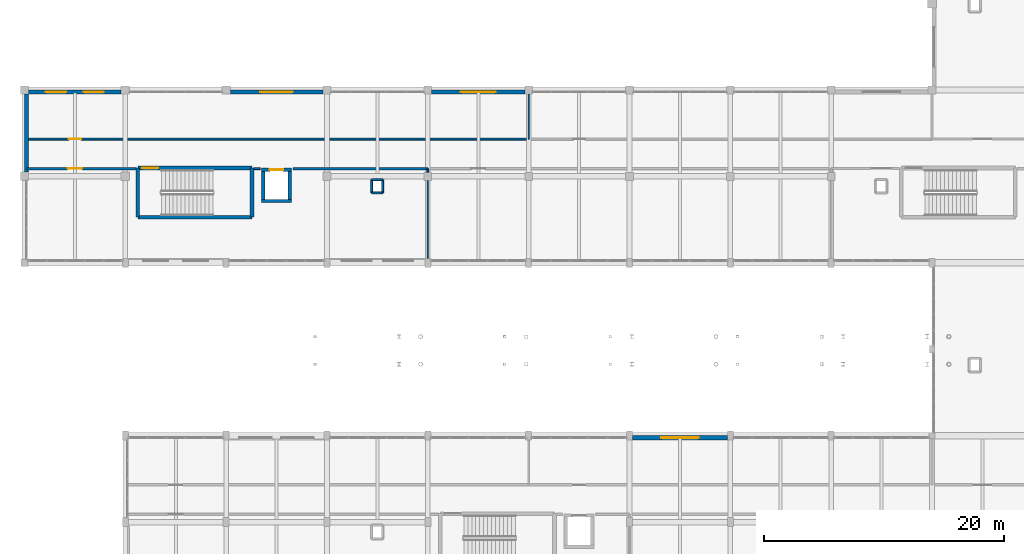
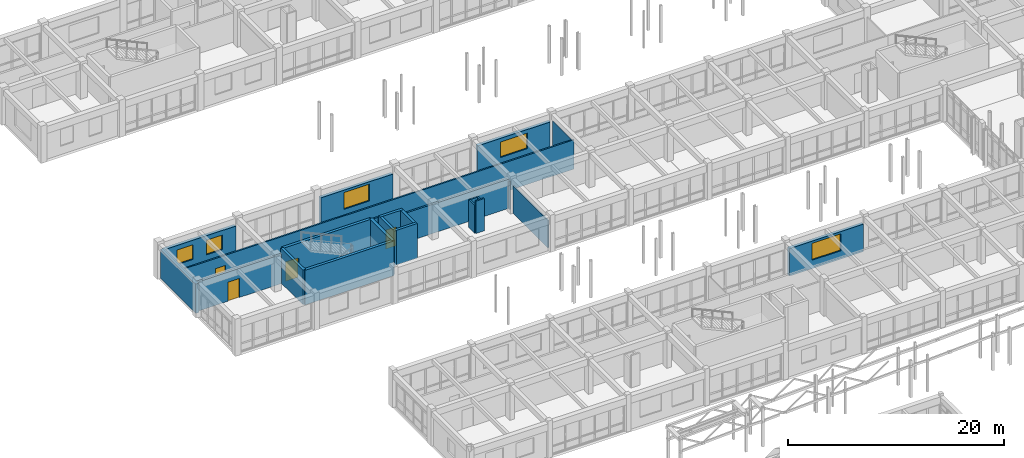
# One storey, part 130 of 147: 24 walls, 5 windows, 4 doors, 9 openings.
"""IFC4 building model written with IfcOpenShell, lengths in metres."""

from ifc_helpers import new_model, si_unit, direction, frame, frame_2d, origin, place, context, subcontext, project, spatial, rectangle, extrude, material, layer, layer_set, type_object, element, fill, save


model = new_model("IFC4")

# Units and contexts
model_context = context("Model", 3, precision=1e-05, world=origin(), true_north=direction((0.0, 1.0)))
body_context = subcontext(model_context, "Body", "Model", "MODEL_VIEW")
ifc_project = project(units=[si_unit("LENGTHUNIT", "METRE"), si_unit("AREAUNIT", "SQUARE_METRE"), si_unit("VOLUMEUNIT", "CUBIC_METRE"), si_unit("PLANEANGLEUNIT", "RADIAN"), si_unit("MASSUNIT", "GRAM", prefix="KILO")], contexts=[model_context])

# Site, building, storey
site_placement = place(None, origin())
site = spatial("IfcSite", under=ifc_project, at=site_placement, CompositionType="ELEMENT")
building_placement = place(site_placement, origin())
building = spatial("IfcBuilding", under=site, at=building_placement, Name="Malvenik Polytechnic", CompositionType="ELEMENT")
storey_placement = place(building_placement, frame((0.0, 0.0, 5.10009765625)))
storey = spatial("IfcBuildingStorey", under=building, at=storey_placement, Name="L01", CompositionType="ELEMENT", Elevation=5.10009765625)

# Wall
ifc_material_1 = material(Name="Concrete C35/45", Category="concrete")
ifc_layer_1 = layer(ifc_material_1, 0.280029296875)
ifc_layer_set_1 = layer_set([ifc_layer_1], Name="Concrete C35/45")
wall_type_1 = type_object("IfcWallType", Name="ARC-CW-S280", PredefinedType="SHEAR", material=ifc_layer_set_1)
wall_1_placement = place(storey_placement, frame((22.239990234375, 84.35009765625, 0.0), z_axis=(0.0, 0.0, 1.0), x_axis=(-1.0, 0.0, 0.0)))
element("IfcWall", 1, at=wall_1_placement, inside=storey, type_object=wall_type_1, Name="Lift Shaft Shear Wall LP-01 L01 -Y", PredefinedType="SHEAR", context=body_context, shape_type="SweptSolid", body=[
    extrude(rectangle(XDim=2.47998046875, YDim=0.280029296875, at=frame_2d((1.239990234375, 0.0))), origin(), (0.0, 0.0, 1.0), 3.919921875),
])

# Wall, opening, door
wall_2_placement = place(storey_placement, frame((19.760009765625, 86.949951171875, 0.0), z_axis=(0.0, 0.0, 1.0), x_axis=(1.0, 0.0, 0.0)))
wall_2 = element("IfcWall", 2, at=wall_2_placement, inside=storey, type_object=wall_type_1, Name="Lift Shaft Shear Wall LP-01 L01 +Y", PredefinedType="SHEAR", context=body_context, shape_type="SweptSolid", body=[
    extrude(rectangle(XDim=2.47998046875, YDim=0.280029296875, at=frame_2d((1.239990234375, 0.0))), origin(), (0.0, 0.0, 1.0), 3.919921875),
])
opening_1_placement = place(wall_2_placement, frame((0.68994140625, 0.0, 0.0)))
opening_1 = element("IfcOpeningElement", 3, at=opening_1_placement, cuts=wall_2, Name="Opening LD-01", PredefinedType="OPENING", context=body_context, shape_type="SweptSolid", body=[
    extrude(rectangle(XDim=1.10009765625, YDim=2.14990234375, at=frame_2d((0.550048828125, 1.074951171875))), frame((0.0, 0.14990234375, 0.0), z_axis=(0.0, -1.0, 0.0), x_axis=(1.0, 0.0, 0.0)), (0.0, 0.0, 1.0), 0.300048828125),
])
ifc_material_2 = material(Name="Stainless steel fire-rated sliding lift landing door", Category="steel")
door_type_1 = type_object("IfcDoorType", Name="ARC-LDR-LD-01", OperationType="NOTDEFINED", PredefinedType="DOOR", material=ifc_material_2)
door_1_placement = place(opening_1_placement, origin())
door_1 = element("IfcDoor", 4, at=door_1_placement, inside=storey, type_object=door_type_1, Name="Lift Sliding Landing Door LP-01 L01", OperationType="DOUBLE_DOOR_SLIDING", OverallHeight=2.14990234375, OverallWidth=1.10009765625, PredefinedType="DOOR", context=body_context, shape_type="SweptSolid", body=[
    extrude(rectangle(XDim=1.10009765625, YDim=2.14990234375, at=frame_2d((0.550048828125, 1.074951171875))), frame((0.0, 0.02490234375, 0.0), z_axis=(0.0, -1.0, 0.0), x_axis=(1.0, 0.0, 0.0)), (0.0, 0.0, 1.0), 0.050048828125),
])
fill(opening_1, door_1)

# Walls
for number, where, z_axis, x_axis, name in (
    (5, (19.89990234375, 84.2099609375, 0.0), (0.0, 0.0, 1.0), (0.0, 1.0, 0.0), "Lift Shaft Shear Wall LP-01 L01 -X"),
    (6, (22.10009765625, 87.090087890625, 0.0), (0.0, 0.0, 1.0), (0.0, -1.0, 0.0), "Lift Shaft Shear Wall LP-01 L01 +X"),
):
    element("IfcWall", number, at=place(storey_placement, frame(where, z_axis=z_axis, x_axis=x_axis)), inside=storey, type_object=wall_type_1, Name=name, PredefinedType="SHEAR", context=body_context, shape_type="SweptSolid", body=[
        extrude(rectangle(XDim=2.880126953125, YDim=0.280029296875, at=frame_2d((1.43994140625, 0.0))), origin(), (0.0, 0.0, 1.0), 3.919921875),
    ])
ifc_layer_2 = layer(ifc_material_1, 0.300048828125)
ifc_layer_set_2 = layer_set([ifc_layer_2], Name="Concrete C35/45")
wall_type_2 = type_object("IfcWallType", Name="ARC-CW-S300", PredefinedType="SHEAR", material=ifc_layer_set_2)
wall_3_placement = place(storey_placement, frame((9.449951171875, 83.0, 0.0), z_axis=(0.0, 0.0, 1.0), x_axis=(0.0, 1.0, 0.0)))
element("IfcWall", 7, at=wall_3_placement, inside=storey, type_object=wall_type_2, Name="Stair Core Shear Wall ST-04 L01 NEAR", PredefinedType="SHEAR", context=body_context, shape_type="SweptSolid", body=[
    extrude(rectangle(XDim=4.10009765625, YDim=0.300048828125, at=frame_2d((2.050048828125, 0.0))), origin(), (0.0, 0.0, 1.0), 3.919921875),
])

# Wall, opening, door
wall_4_placement = place(storey_placement, frame((9.449951171875, 87.10009765625, 0.0), z_axis=(0.0, 0.0, 1.0), x_axis=(1.0, 0.0, 0.0)))
wall_4 = element("IfcWall", 8, at=wall_4_placement, inside=storey, type_object=wall_type_2, Name="Stair Core Shear Wall ST-04 L01 RGHT", PredefinedType="SHEAR", context=body_context, shape_type="SweptSolid", body=[
    extrude(rectangle(XDim=9.5, YDim=0.300048828125, at=frame_2d((4.75, 0.0))), origin(), (0.0, 0.0, 1.0), 3.919921875),
])
opening_2_placement = place(wall_4_placement, frame((0.35009765625, 0.0, 0.0)))
opening_2 = element("IfcOpeningElement", 9, at=opening_2_placement, cuts=wall_4, Name="Opening SD-01", PredefinedType="OPENING", context=body_context, shape_type="SweptSolid", body=[
    extrude(rectangle(XDim=1.35009765625, YDim=2.199951171875, at=frame_2d((0.675048828125, 1.10009765625))), frame((0.0, 0.16015625, 0.0), z_axis=(0.0, -1.0, 0.0), x_axis=(1.0, 0.0, 0.0)), (0.0, 0.0, 1.0), 0.320068359375),
])
ifc_material_3 = material(Name="Fire-rated steel stair enclosure door", Category="steel")
door_type_2 = type_object("IfcDoorType", Name="ARC-IDR-SD-01", OperationType="NOTDEFINED", PredefinedType="DOOR", material=ifc_material_3)
door_2_placement = place(opening_2_placement, origin())
door_2 = element("IfcDoor", 10, at=door_2_placement, inside=storey, type_object=door_type_2, Name="Fire Stair Door ST-04 L01", OperationType="SINGLE_SWING_RIGHT", OverallHeight=2.199951171875, OverallWidth=1.35009765625, PredefinedType="DOOR", context=body_context, shape_type="SweptSolid", body=[
    extrude(rectangle(XDim=1.35009765625, YDim=2.199951171875, at=frame_2d((0.675048828125, 1.10009765625))), frame((0.0, 0.02490234375, 0.0), z_axis=(0.0, -1.0, 0.0), x_axis=(1.0, 0.0, 0.0)), (0.0, 0.0, 1.0), 0.050048828125),
])
fill(opening_2, door_2)

# Walls
wall_5_placement = place(storey_placement, frame((18.949951171875, 87.10009765625, 0.0), z_axis=(0.0, 0.0, 1.0), x_axis=(0.0, -1.0, 0.0)))
element("IfcWall", 11, at=wall_5_placement, inside=storey, type_object=wall_type_2, Name="Stair Core Shear Wall ST-04 L01 FAR", PredefinedType="SHEAR", context=body_context, shape_type="SweptSolid", body=[
    extrude(rectangle(XDim=4.10009765625, YDim=0.300048828125, at=frame_2d((2.050048828125, 0.0))), origin(), (0.0, 0.0, 1.0), 3.919921875),
])
wall_6_placement = place(storey_placement, frame((18.949951171875, 83.0, 0.0), z_axis=(0.0, 0.0, 1.0), x_axis=(-1.0, 0.0, 0.0)))
element("IfcWall", 12, at=wall_6_placement, inside=storey, type_object=wall_type_2, Name="Stair Core Shear Wall ST-04 L01 LEFT", PredefinedType="SHEAR", context=body_context, shape_type="SweptSolid", body=[
    extrude(rectangle(XDim=9.5, YDim=0.300048828125, at=frame_2d((4.75, 0.0))), origin(), (0.0, 0.0, 1.0), 3.919921875),
])
ifc_material_4 = material(Name="Concrete C30/37", Category="concrete")
ifc_layer_3 = layer(ifc_material_4, 0.340087890625)
ifc_layer_set_3 = layer_set([ifc_layer_3], Name="Concrete C30/37")
wall_type_3 = type_object("IfcWallType", Name="ARC-EW-340", PredefinedType="SOLIDWALL", material=ifc_layer_set_3)
wall_7_placement = place(storey_placement, frame((0.169921875, 86.748046875, 0.0), z_axis=(0.0, 0.0, 1.0), x_axis=(0.0, 1.0, 0.0)))
element("IfcWall", 13, at=wall_7_placement, inside=storey, type_object=wall_type_3, Name="External Facade Wall EW-02 L01 #178", PredefinedType="SOLIDWALL", context=body_context, shape_type="SweptSolid", body=[
    extrude(rectangle(XDim=6.50390625, YDim=0.340087890625, at=frame_2d((3.251953125, 0.0))), origin(), (0.0, 0.0, 1.0), 3.309814453125),
])

# Wall, openings, windows
wall_8_placement = place(storey_placement, frame((0.347900390625, 93.429931640625, 0.0), z_axis=(0.0, 0.0, 1.0), x_axis=(1.0, 0.0, 0.0)))
wall_8 = element("IfcWall", 14, at=wall_8_placement, inside=storey, type_object=wall_type_3, Name="External Facade Wall EW-02 L01 #179", PredefinedType="SOLIDWALL", context=body_context, shape_type="SweptSolid", body=[
    extrude(rectangle(XDim=7.7041015625, YDim=0.340087890625, at=frame_2d((3.85205078125, 0.0))), origin(), (0.0, 0.0, 1.0), 3.10986328125),
])
opening_3_placement = place(wall_8_placement, frame((1.434814453125, 0.0, 0.949951171875)))
opening_3 = element("IfcOpeningElement", 15, at=opening_3_placement, cuts=wall_8, Name="Opening W-25", PredefinedType="OPENING", context=body_context, shape_type="SweptSolid", body=[
    extrude(rectangle(XDim=1.699951171875, YDim=1.64990234375, at=frame_2d((0.85009765625, 0.824951171875))), frame((0.0, 0.18017578125, 0.0), z_axis=(0.0, -1.0, 0.0), x_axis=(1.0, 0.0, 0.0)), (0.0, 0.0, 1.0), 0.360107421875),
])
opening_4_placement = place(wall_8_placement, frame((4.5693359375, 0.0, 0.949951171875)))
opening_4 = element("IfcOpeningElement", 16, at=opening_4_placement, cuts=wall_8, Name="Opening W-25", PredefinedType="OPENING", context=body_context, shape_type="SweptSolid", body=[
    extrude(rectangle(XDim=1.699951171875, YDim=1.64990234375, at=frame_2d((0.85009765625, 0.824951171875))), frame((0.0, 0.18017578125, 0.0), z_axis=(0.0, -1.0, 0.0), x_axis=(1.0, 0.0, 0.0)), (0.0, 0.0, 1.0), 0.360107421875),
])
ifc_material_5 = material(Name="Thermally broken aluminium frame with low-E double glazing", Category="aluminium")
window_type_1 = type_object("IfcWindowType", Name="ARC-WIN-W-25", PartitioningType="SINGLE_PANEL", PredefinedType="WINDOW", material=ifc_material_5)
window_1_placement = place(opening_3_placement, origin())
window_1 = element("IfcWindow", 17, at=window_1_placement, inside=storey, type_object=window_type_1, Name="Punched Window W-25 L01 #142", OverallHeight=1.64990234375, OverallWidth=1.699951171875, PartitioningType="SINGLE_PANEL", PredefinedType="WINDOW", context=body_context, shape_type="SweptSolid", body=[
    extrude(rectangle(XDim=1.699951171875, YDim=1.64990234375, at=frame_2d((0.85009765625, 0.824951171875))), frame((0.0, 0.030029296875, 0.0), z_axis=(0.0, -1.0, 0.0), x_axis=(1.0, 0.0, 0.0)), (0.0, 0.0, 1.0), 0.06005859375),
])
fill(opening_3, window_1)
window_2_placement = place(opening_4_placement, origin())
window_2 = element("IfcWindow", 18, at=window_2_placement, inside=storey, type_object=window_type_1, Name="Punched Window W-25 L01 #143", OverallHeight=1.64990234375, OverallWidth=1.699951171875, PartitioningType="SINGLE_PANEL", PredefinedType="WINDOW", context=body_context, shape_type="SweptSolid", body=[
    extrude(rectangle(XDim=1.699951171875, YDim=1.64990234375, at=frame_2d((0.85009765625, 0.824951171875))), frame((0.0, 0.030029296875, 0.0), z_axis=(0.0, -1.0, 0.0), x_axis=(1.0, 0.0, 0.0)), (0.0, 0.0, 1.0), 0.06005859375),
])
fill(opening_4, window_2)

# Wall, opening, window
wall_9_placement = place(storey_placement, frame((17.14794921875, 93.429931640625, 0.0), z_axis=(0.0, 0.0, 1.0), x_axis=(1.0, 0.0, 0.0)))
wall_9 = element("IfcWall", 19, at=wall_9_placement, inside=storey, type_object=wall_type_3, Name="External Facade Wall EW-02 L01 #180", PredefinedType="SOLIDWALL", context=body_context, shape_type="SweptSolid", body=[
    extrude(rectangle(XDim=7.7041015625, YDim=0.340087890625, at=frame_2d((3.85205078125, 0.0))), origin(), (0.0, 0.0, 1.0), 3.10986328125),
])
opening_5_placement = place(wall_9_placement, frame((2.501953125, 0.0, 0.949951171875)))
opening_5 = element("IfcOpeningElement", 20, at=opening_5_placement, cuts=wall_9, Name="Opening W-27", PredefinedType="OPENING", context=body_context, shape_type="SweptSolid", body=[
    extrude(rectangle(XDim=2.699951171875, YDim=1.89990234375, at=frame_2d((1.35009765625, 0.949951171875))), frame((0.0, 0.18017578125, 0.0), z_axis=(0.0, -1.0, 0.0), x_axis=(1.0, 0.0, 0.0)), (0.0, 0.0, 1.0), 0.360107421875),
])
window_type_2 = type_object("IfcWindowType", Name="ARC-WIN-W-27", PartitioningType="SINGLE_PANEL", PredefinedType="WINDOW", material=ifc_material_5)
window_3_placement = place(opening_5_placement, origin())
window_3 = element("IfcWindow", 21, at=window_3_placement, inside=storey, type_object=window_type_2, Name="Punched Window W-27 L01 #144", OverallHeight=1.89990234375, OverallWidth=2.699951171875, PartitioningType="SINGLE_PANEL", PredefinedType="WINDOW", context=body_context, shape_type="SweptSolid", body=[
    extrude(rectangle(XDim=2.699951171875, YDim=1.89990234375, at=frame_2d((1.35009765625, 0.949951171875))), frame((0.0, 0.030029296875, 0.0), z_axis=(0.0, -1.0, 0.0), x_axis=(1.0, 0.0, 0.0)), (0.0, 0.0, 1.0), 0.06005859375),
])
fill(opening_5, window_3)

wall_10_placement = place(storey_placement, frame((33.923095703125, 93.429931640625, 0.0), z_axis=(0.0, 0.0, 1.0), x_axis=(1.0, 0.0, 0.0)))
wall_10 = element("IfcWall", 22, at=wall_10_placement, inside=storey, type_object=wall_type_3, Name="External Facade Wall EW-02 L01 #181", PredefinedType="SOLIDWALL", context=body_context, shape_type="SweptSolid", body=[
    extrude(rectangle(XDim=7.75390625, YDim=0.340087890625, at=frame_2d((3.876953125, 0.0))), origin(), (0.0, 0.0, 1.0), 3.10986328125),
])
opening_6_placement = place(wall_10_placement, frame((2.427001953125, 0.0, 0.949951171875)))
opening_6 = element("IfcOpeningElement", 23, at=opening_6_placement, cuts=wall_10, Name="Opening W-28", PredefinedType="OPENING", context=body_context, shape_type="SweptSolid", body=[
    extrude(rectangle(XDim=2.89990234375, YDim=1.75, at=frame_2d((1.449951171875, 0.875))), frame((0.0, 0.18017578125, 0.0), z_axis=(0.0, -1.0, 0.0), x_axis=(1.0, 0.0, 0.0)), (0.0, 0.0, 1.0), 0.360107421875),
])
window_type_3 = type_object("IfcWindowType", Name="ARC-WIN-W-28", PartitioningType="SINGLE_PANEL", PredefinedType="WINDOW", material=ifc_material_5)
window_4_placement = place(opening_6_placement, origin())
window_4 = element("IfcWindow", 24, at=window_4_placement, inside=storey, type_object=window_type_3, Name="Punched Window W-28 L01 #145", OverallHeight=1.75, OverallWidth=2.89990234375, PartitioningType="SINGLE_PANEL", PredefinedType="WINDOW", context=body_context, shape_type="SweptSolid", body=[
    extrude(rectangle(XDim=2.89990234375, YDim=1.75, at=frame_2d((1.449951171875, 0.875))), frame((0.0, 0.030029296875, 0.0), z_axis=(0.0, -1.0, 0.0), x_axis=(1.0, 0.0, 0.0)), (0.0, 0.0, 1.0), 0.06005859375),
])
fill(opening_6, window_4)

wall_11_placement = place(storey_placement, frame((50.64794921875, 64.6298828125, 0.0), z_axis=(0.0, 0.0, 1.0), x_axis=(1.0, 0.0, 0.0)))
wall_11 = element("IfcWall", 25, at=wall_11_placement, inside=storey, type_object=wall_type_3, Name="External Facade Wall EW-02 L01 #244", PredefinedType="SOLIDWALL", context=body_context, shape_type="SweptSolid", body=[
    extrude(rectangle(XDim=7.904052734375, YDim=0.340087890625, at=frame_2d((3.9521484375, 0.0))), origin(), (0.0, 0.0, 1.0), 3.10986328125),
])
opening_7_placement = place(wall_11_placement, frame((2.402099609375, 0.0, 0.949951171875)))
opening_7 = element("IfcOpeningElement", 26, at=opening_7_placement, cuts=wall_11, Name="Opening W-29", PredefinedType="OPENING", context=body_context, shape_type="SweptSolid", body=[
    extrude(rectangle(XDim=3.10009765625, YDim=1.909912109375, at=frame_2d((1.550048828125, 0.955078125))), frame((0.0, 0.18017578125, 0.0), z_axis=(0.0, -1.0, 0.0), x_axis=(1.0, 0.0, 0.0)), (0.0, 0.0, 1.0), 0.360107421875),
])
window_type_4 = type_object("IfcWindowType", Name="ARC-WIN-W-29", PartitioningType="SINGLE_PANEL", PredefinedType="WINDOW", material=ifc_material_5)
window_5_placement = place(opening_7_placement, origin())
window_5 = element("IfcWindow", 27, at=window_5_placement, inside=storey, type_object=window_type_4, Name="Punched Window W-29 L01 #210", OverallHeight=1.909912109375, OverallWidth=3.10009765625, PartitioningType="SINGLE_PANEL", PredefinedType="WINDOW", context=body_context, shape_type="SweptSolid", body=[
    extrude(rectangle(XDim=3.10009765625, YDim=1.909912109375, at=frame_2d((1.550048828125, 0.955078125))), frame((0.0, 0.030029296875, 0.0), z_axis=(0.0, -1.0, 0.0), x_axis=(1.0, 0.0, 0.0)), (0.0, 0.0, 1.0), 0.06005859375),
])
fill(opening_7, window_5)

# Wall
ifc_material_6 = material(Name="Calcium silicate fire-rated blockwork 200mm", Category="masonry")
ifc_layer_4 = layer(ifc_material_6, 0.199951171875)
ifc_layer_set_4 = layer_set([ifc_layer_4], Name="Calcium silicate fire-rated blockwork 200mm")
wall_type_4 = type_object("IfcWallType", Name="ARC-FW-200", PredefinedType="SOLIDWALL", material=ifc_layer_set_4)
wall_12_placement = place(storey_placement, frame((33.60009765625, 87.050048828125, 0.0), z_axis=(0.0, 0.0, 1.0), x_axis=(-1.0, 0.0, 0.0)))
element("IfcWall", 28, at=wall_12_placement, inside=storey, type_object=wall_type_4, Name="Interior Partition FW-02 L01 #182", PredefinedType="SOLIDWALL", context=body_context, shape_type="SweptSolid", body=[
    extrude(rectangle(XDim=11.22998046875, YDim=0.199951171875, at=frame_2d((5.614990234375, 0.0))), origin(), (0.0, 0.0, 1.0), 3.304931640625),
])

# Wall, opening, door
wall_13_placement = place(storey_placement, frame((9.31005859375, 87.050048828125, 0.0), z_axis=(0.0, 0.0, 1.0), x_axis=(-1.0, 0.0, 0.0)))
wall_13 = element("IfcWall", 29, at=wall_13_placement, inside=storey, type_object=wall_type_4, Name="Interior Partition FW-02 L01 #184", PredefinedType="SOLIDWALL", context=body_context, shape_type="SweptSolid", body=[
    extrude(rectangle(XDim=9.090087890625, YDim=0.199951171875, at=frame_2d((4.544921875, 0.0))), origin(), (0.0, 0.0, 1.0), 3.304931640625),
])
opening_8_placement = place(wall_13_placement, frame((4.510009765625, 0.0, 0.0)))
opening_8 = element("IfcOpeningElement", 30, at=opening_8_placement, cuts=wall_13, Name="Opening FD-10", PredefinedType="OPENING", context=body_context, shape_type="SweptSolid", body=[
    extrude(rectangle(XDim=1.199951171875, YDim=2.14990234375, at=frame_2d((0.60009765625, 1.074951171875))), frame((0.0, 0.10986328125, 0.0), z_axis=(0.0, -1.0, 0.0), x_axis=(1.0, 0.0, 0.0)), (0.0, 0.0, 1.0), 0.219970703125),
])
ifc_material_7 = material(Name="Fire-rated laboratory corridor door", Category="steel")
door_type_3 = type_object("IfcDoorType", Name="ARC-IDR-FD-10", OperationType="NOTDEFINED", PredefinedType="DOOR", material=ifc_material_7)
door_3_placement = place(opening_8_placement, origin())
door_3 = element("IfcDoor", 31, at=door_3_placement, inside=storey, type_object=door_type_3, Name="Interior Door FD-10 L01 #79", OperationType="SINGLE_SWING_RIGHT", OverallHeight=2.14990234375, OverallWidth=1.199951171875, PredefinedType="DOOR", context=body_context, shape_type="SweptSolid", body=[
    extrude(rectangle(XDim=1.199951171875, YDim=2.14990234375, at=frame_2d((0.60009765625, 1.074951171875))), frame((0.0, 0.02490234375, 0.0), z_axis=(0.0, -1.0, 0.0), x_axis=(1.0, 0.0, 0.0)), (0.0, 0.0, 1.0), 0.050048828125),
])
fill(opening_8, door_3)

# Walls
ifc_material_8 = material(Name="Lightweight gypsum partition 110mm", Category="gypsum")
ifc_layer_5 = layer(ifc_material_8, 0.110107421875)
ifc_layer_set_5 = layer_set([ifc_layer_5], Name="Lightweight gypsum partition 110mm")
wall_type_5 = type_object("IfcWallType", Name="ARC-PW-110", PredefinedType="PARTITIONING", material=ifc_layer_set_5)
wall_14_placement = place(storey_placement, frame((42.0, 89.5, 0.0), z_axis=(0.0, 0.0, 1.0), x_axis=(0.0, 1.0, 0.0)))
element("IfcWall", 32, at=wall_14_placement, inside=storey, type_object=wall_type_5, Name="Interior Partition PW-04I L01 #176", PredefinedType="PARTITIONING", context=body_context, shape_type="SweptSolid", body=[
    extrude(rectangle(XDim=3.7548828125, YDim=0.110107421875, at=frame_2d((1.87744140625, 0.0))), origin(), (0.0, 0.0, 1.0), 3.10498046875),
])
wall_15_placement = place(storey_placement, frame((33.60009765625, 79.594970703125, 0.0), z_axis=(0.0, 0.0, 1.0), x_axis=(0.0, 1.0, 0.0)))
element("IfcWall", 33, at=wall_15_placement, inside=storey, type_object=wall_type_5, Name="Interior Partition PW-04I L01 #185", PredefinedType="PARTITIONING", context=body_context, shape_type="SweptSolid", body=[
    extrude(rectangle(XDim=6.4599609375, YDim=0.110107421875, at=frame_2d((3.22998046875, 0.0))), origin(), (0.0, 0.0, 1.0), 3.10498046875),
])
ifc_material_9 = material(Name="Acoustic metal-stud gypsum partition 140mm", Category="gypsum")
ifc_layer_6 = layer(ifc_material_9, 0.139892578125)
ifc_layer_set_6 = layer_set([ifc_layer_6], Name="Acoustic metal-stud gypsum partition 140mm")
wall_type_6 = type_object("IfcWallType", Name="ARC-PW-140", PredefinedType="PARTITIONING", material=ifc_layer_set_6)
wall_16_placement = place(storey_placement, frame((33.60009765625, 86.7451171875, 0.0), z_axis=(0.0, 0.0, 1.0), x_axis=(0.0, 1.0, 0.0)))
element("IfcWall", 34, at=wall_16_placement, inside=storey, type_object=wall_type_6, Name="Interior Partition PW-02I L01 #186", PredefinedType="PARTITIONING", context=body_context, shape_type="SweptSolid", body=[
    extrude(rectangle(XDim=0.304931640625, YDim=0.139892578125, at=frame_2d((0.15234375, 0.0))), origin(), (0.0, 0.0, 1.0), 3.15478515625),
])
ifc_material_10 = material(Name="Double-stud acoustic gypsum board partition 160mm", Category="gypsum")
ifc_layer_7 = layer(ifc_material_10, 0.159912109375)
ifc_layer_set_7 = layer_set([ifc_layer_7], Name="Double-stud acoustic gypsum board partition 160mm")
wall_type_7 = type_object("IfcWallType", Name="ARC-PW-160", PredefinedType="PARTITIONING", material=ifc_layer_set_7)
wall_17_placement = place(storey_placement, frame((28.919921875, 85.02001953125, 0.0), z_axis=(0.0, 0.0, 1.0), x_axis=(1.0, 0.0, 0.0)))
element("IfcWall", 35, at=wall_17_placement, inside=storey, type_object=wall_type_7, Name="Riser Shaft Enclosure L01 #16S", PredefinedType="PARTITIONING", context=body_context, shape_type="SweptSolid", body=[
    extrude(rectangle(XDim=0.91015625, YDim=0.159912109375, at=frame_2d((0.455078125, 0.0))), origin(), (0.0, 0.0, 1.0), 3.64990234375),
])
wall_18_placement = place(storey_placement, frame((29.830078125, 86.1298828125, 0.0), z_axis=(0.0, 0.0, 1.0), x_axis=(-1.0, 0.0, 0.0)))
element("IfcWall", 36, at=wall_18_placement, inside=storey, type_object=wall_type_7, Name="Riser Shaft Enclosure L01 #16N", PredefinedType="PARTITIONING", context=body_context, shape_type="SweptSolid", body=[
    extrude(rectangle(XDim=0.91015625, YDim=0.159912109375, at=frame_2d((0.455078125, 0.0))), origin(), (0.0, 0.0, 1.0), 3.15478515625),
])
for number, where, z_axis, x_axis, name in (
    (37, (28.919921875, 86.1298828125, 0.0), (0.0, 0.0, 1.0), (0.0, -1.0, 0.0), "Riser Shaft Enclosure L01 #16W"),
    (38, (29.830078125, 85.02001953125, 0.0), (0.0, 0.0, 1.0), (0.0, 1.0, 0.0), "Riser Shaft Enclosure L01 #16E"),
):
    element("IfcWall", number, at=place(storey_placement, frame(where, z_axis=z_axis, x_axis=x_axis)), inside=storey, type_object=wall_type_7, Name=name, PredefinedType="PARTITIONING", context=body_context, shape_type="SweptSolid", body=[
        extrude(rectangle(XDim=1.10986328125, YDim=0.159912109375, at=frame_2d((0.554931640625, 0.0))), origin(), (0.0, 0.0, 1.0), 3.15478515625),
    ])

# Wall, opening, door
wall_19_placement = place(storey_placement, frame((0.219970703125, 89.5, 0.0), z_axis=(0.0, 0.0, 1.0), x_axis=(1.0, 0.0, 0.0)))
wall_19 = element("IfcWall", 39, at=wall_19_placement, inside=storey, type_object=wall_type_7, Name="Interior Partition PW-01I L01 #175", PredefinedType="PARTITIONING", context=body_context, shape_type="SweptSolid", body=[
    extrude(rectangle(XDim=41.780029296875, YDim=0.159912109375, at=frame_2d((20.89013671875, 0.0))), origin(), (0.0, 0.0, 1.0), 3.304931640625),
])
opening_9_placement = place(wall_19_placement, frame((3.455078125, 0.0, 0.0)))
opening_9 = element("IfcOpeningElement", 40, at=opening_9_placement, cuts=wall_19, Name="Opening FD-05", PredefinedType="OPENING", context=body_context, shape_type="SweptSolid", body=[
    extrude(rectangle(XDim=1.050048828125, YDim=2.14990234375, at=frame_2d((0.52490234375, 1.074951171875))), frame((0.0, 0.08984375, 0.0), z_axis=(0.0, -1.0, 0.0), x_axis=(1.0, 0.0, 0.0)), (0.0, 0.0, 1.0), 0.179931640625),
])
ifc_material_11 = material(Name="Fire-rated archive room door", Category="steel")
door_type_4 = type_object("IfcDoorType", Name="ARC-IDR-FD-05", OperationType="NOTDEFINED", PredefinedType="DOOR", material=ifc_material_11)
door_4_placement = place(opening_9_placement, origin())
door_4 = element("IfcDoor", 41, at=door_4_placement, inside=storey, type_object=door_type_4, Name="Interior Door FD-05 L01 #75", OperationType="SINGLE_SWING_LEFT", OverallHeight=2.14990234375, OverallWidth=1.050048828125, PredefinedType="DOOR", context=body_context, shape_type="SweptSolid", body=[
    extrude(rectangle(XDim=1.050048828125, YDim=2.14990234375, at=frame_2d((0.52490234375, 1.074951171875))), frame((0.0, 0.02490234375, 0.0), z_axis=(0.0, -1.0, 0.0), x_axis=(1.0, 0.0, 0.0)), (0.0, 0.0, 1.0), 0.050048828125),
])
fill(opening_9, door_4)

# Wall
wall_20_placement = place(storey_placement, frame((19.6298828125, 87.050048828125, 0.0), z_axis=(0.0, 0.0, 1.0), x_axis=(-1.0, 0.0, 0.0)))
element("IfcWall", 42, at=wall_20_placement, inside=storey, type_object=wall_type_7, Name="Interior Partition PW-01I L01 #183", PredefinedType="PARTITIONING", context=body_context, shape_type="SweptSolid", body=[
    extrude(rectangle(XDim=0.539794921875, YDim=0.159912109375, at=frame_2d((0.27001953125, 0.0))), origin(), (0.0, 0.0, 1.0), 3.849853515625),
])

save(model, "model.ifc")
